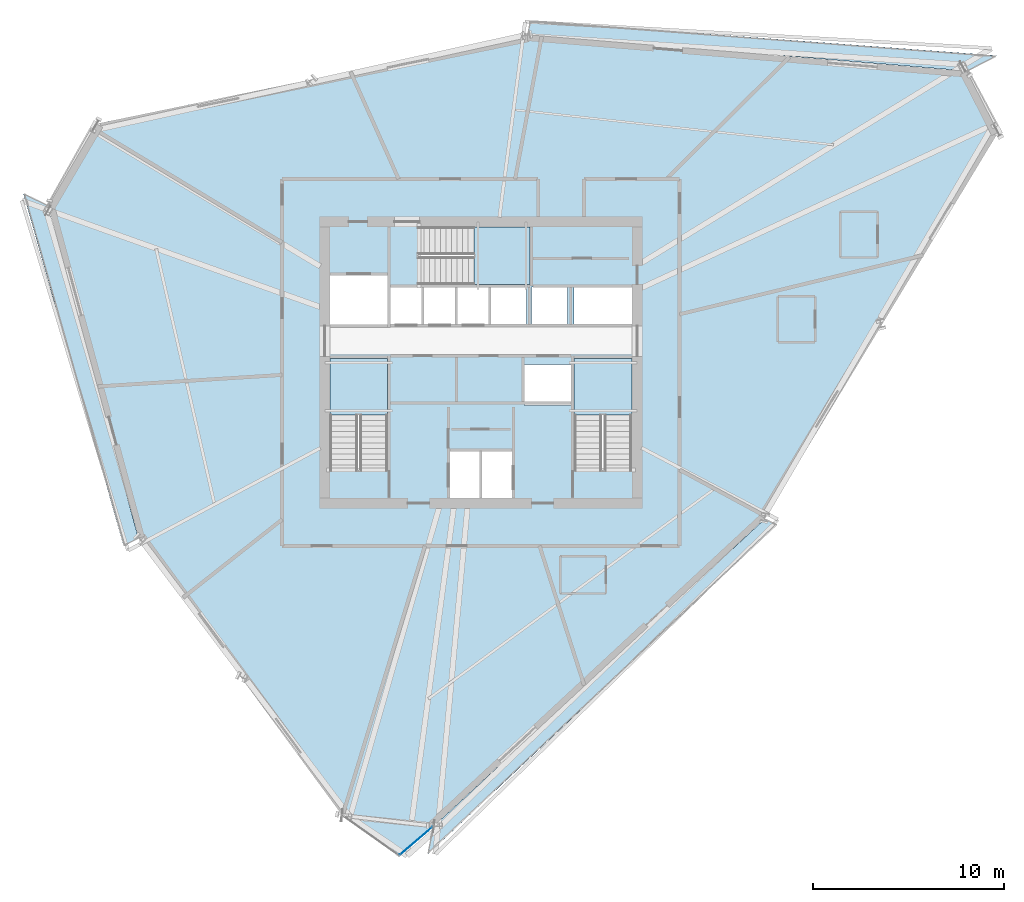
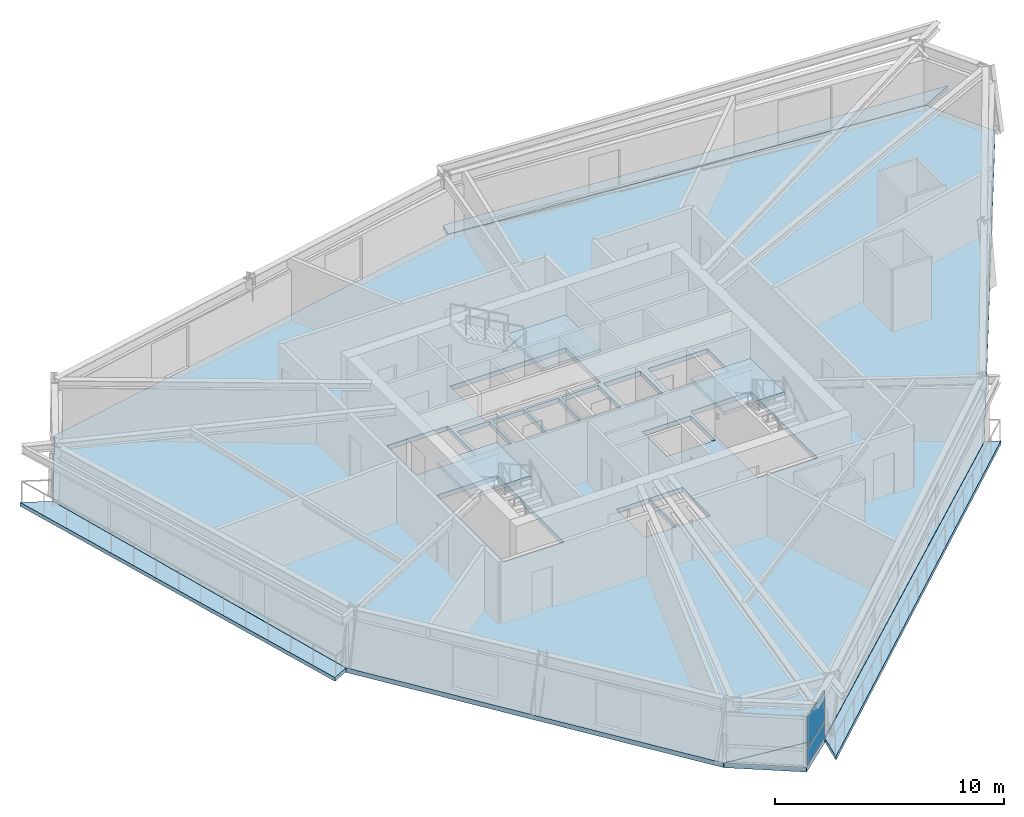
# One storey, part 6 of 15: 8 slabs, 2 plates, 4 elements without a shape of their own.
"""IFC4 building model written with IfcOpenShell, lengths in metres."""

from ifc_helpers import new_model, si_unit, direction, frame, origin, origin_2d, place, context, subcontext, project, spatial, polyline, rectangle, outline, extrude, source, transform, mapped, material, layer, layer_set, type_object, element, aggregate, save


model = new_model("IFC4")

# Units and contexts
model_context = context("Model", 3, precision=1e-05, world=origin(), true_north=direction((0.0, 1.0)))
body_context = subcontext(model_context, "Body", "Model", "MODEL_VIEW")
ifc_project = project(units=[si_unit("LENGTHUNIT", "METRE"), si_unit("AREAUNIT", "SQUARE_METRE"), si_unit("VOLUMEUNIT", "CUBIC_METRE"), si_unit("PLANEANGLEUNIT", "RADIAN"), si_unit("MASSUNIT", "GRAM", prefix="KILO")], contexts=[model_context])

# Site, building, storey
site_placement = place(None, origin())
site = spatial("IfcSite", under=ifc_project, at=site_placement, CompositionType="ELEMENT")
building_placement = place(site_placement, origin())
building = spatial("IfcBuilding", under=site, at=building_placement, Name="Olszyna Solenne Hotel", CompositionType="ELEMENT")
storey_placement = place(building_placement, frame((0.0, 0.0, 146.60009765625)))
storey = spatial("IfcBuildingStorey", under=building, at=storey_placement, Name="L38", CompositionType="ELEMENT", Elevation=146.60009765625)

# Stair, slab
ifc_material_1 = material(Name="Concrete C40/50", Category="concrete")
stair_type = type_object("IfcStairType", Name="STR-C1", PredefinedType="TWO_QUARTER_WINDING_STAIR", material=ifc_material_1)
stair_1_placement = place(storey_placement, origin())
stair_1 = element("IfcStair", 1, at=stair_1_placement, inside=storey, type_object=stair_type, Name="L38 ST1", PredefinedType="TWO_QUARTER_WINDING_STAIR")
ifc_layer_1 = layer(ifc_material_1, 0.18994140625, Name="Concrete C40/50")
ifc_layer_set_1 = layer_set([ifc_layer_1], Name="Concrete C40/50")
slab_type_1 = type_object("IfcSlabType", Name="SL-LN190", PredefinedType="LANDING", material=ifc_layer_set_1)
slab_1_placement = place(storey_placement, frame((0.0, 0.0, 1.574951171875)))
slab_1 = element("IfcSlab", 2, at=slab_1_placement, type_object=slab_type_1, Name="ST1 landing 1", PredefinedType="LANDING", context=body_context, shape_type="SweptSolid", body=[
    extrude(outline(polyline([(33.1201171875, 23.85009765625), (33.1201171875, 26.800048828125), (30.10009765625, 26.800048828125), (30.10009765625, 23.85009765625), (33.1201171875, 23.85009765625)])), origin(), (0.0, 0.0, 1.0), 0.199951171875),
])
aggregate(stair_1, [slab_1])

stair_2_placement = place(storey_placement, origin())
stair_2 = element("IfcStair", 3, at=stair_2_placement, inside=storey, type_object=stair_type, Name="L38 ST2", PredefinedType="TWO_QUARTER_WINDING_STAIR")
slab_2_placement = place(storey_placement, frame((0.0, 0.0, 1.574951171875)))
slab_2 = element("IfcSlab", 4, at=slab_2_placement, type_object=slab_type_1, Name="ST2 landing 1", PredefinedType="LANDING", context=body_context, shape_type="SweptSolid", body=[
    extrude(outline(polyline([(45.89990234375, 23.85009765625), (45.89990234375, 26.800048828125), (42.8798828125, 26.800048828125), (42.8798828125, 23.85009765625), (45.89990234375, 23.85009765625)])), origin(), (0.0, 0.0, 1.0), 0.199951171875),
])
aggregate(stair_2, [slab_2])

stair_3_placement = place(storey_placement, origin())
stair_3 = element("IfcStair", 5, at=stair_3_placement, inside=storey, type_object=stair_type, Name="L38 ST3", PredefinedType="TWO_QUARTER_WINDING_STAIR")
slab_3_placement = place(storey_placement, frame((0.0, 0.0, 1.574951171875)))
slab_3 = element("IfcSlab", 6, at=slab_3_placement, type_object=slab_type_1, Name="ST3 landing 1", PredefinedType="LANDING", context=body_context, shape_type="SweptSolid", body=[
    extrude(outline(polyline([(37.6298828125, 30.679931640625), (40.580078125, 30.679931640625), (40.580078125, 33.699951171875), (37.6298828125, 33.699951171875), (37.6298828125, 30.679931640625)])), origin(), (0.0, 0.0, 1.0), 0.199951171875),
])
aggregate(stair_3, [slab_3])

# Slabs
ifc_material_2 = material(Name="Precast concrete C45/55", Category="concrete")
ifc_layer_2 = layer(ifc_material_2, 0.199951171875, Name="Precast concrete C45/55")
ifc_layer_set_2 = layer_set([ifc_layer_2], Name="Precast concrete C45/55")
slab_type_2 = type_object("IfcSlabType", Name="SL-LOG200", PredefinedType="FLOOR", material=ifc_layer_set_2)
slab_4_placement = place(storey_placement, frame((0.0, 0.0, -0.2001953125)))
element("IfcSlab", 7, at=slab_4_placement, inside=storey, type_object=slab_type_2, Name="Exterior loggia balcony slab SL-L38-LG1", PredefinedType="FLOOR", context=body_context, shape_type="SweptSolid", body=[
    extrude(outline(polyline([(40.459716796875, 43.75927734375), (63.423095703125, 41.852294921875), (63.424560546875, 41.852294921875), (63.426025390625, 41.851806640625), (63.427490234375, 41.851318359375), (63.428955078125, 41.8505859375), (63.43017578125, 41.85009765625), (63.431396484375, 41.84912109375), (63.4326171875, 41.847900390625), (63.43359375, 41.846923828125), (63.4345703125, 41.845703125), (63.435302734375, 41.844482421875), (65.002685546875, 42.65771484375), (40.597412109375, 44.477783203125), (40.459716796875, 43.75927734375)])), origin(), (0.0, 0.0, 1.0), 0.2001953125),
])
slab_5_placement = place(storey_placement, frame((0.0, 0.0, -0.2001953125)))
element("IfcSlab", 8, at=slab_5_placement, inside=storey, type_object=slab_type_2, Name="Exterior loggia balcony slab SL-L38-LG2", PredefinedType="FLOOR", context=body_context, shape_type="SweptSolid", body=[
    extrude(outline(polyline([(20.081787109375, 17.41162109375), (20.08154296875, 17.411865234375), (20.080810546875, 17.4130859375), (20.08056640625, 17.41455078125), (15.3505859375, 34.785400390625), (15.350341796875, 34.786865234375), (15.35009765625, 34.788330078125), (15.35009765625, 34.789794921875), (15.350341796875, 34.791259765625), (15.3505859375, 34.792724609375), (15.35107421875, 34.794189453125), (15.3515625, 34.795654296875), (15.351806640625, 34.7958984375), (14.065185546875, 35.435546875), (19.3046875, 17.00830078125), (20.081787109375, 17.41162109375)])), origin(), (0.0, 0.0, 1.0), 0.2001953125),
])
slab_6_placement = place(storey_placement, frame((0.0, 0.0, -0.2001953125)))
element("IfcSlab", 9, at=slab_6_placement, inside=storey, type_object=slab_type_2, Name="Exterior loggia balcony slab SL-L38-LG3", PredefinedType="FLOOR", context=body_context, shape_type="SweptSolid", body=[
    extrude(outline(polyline([(52.85205078125, 18.407958984375), (52.851318359375, 18.406982421875), (52.8505859375, 18.40576171875), (52.849853515625, 18.40478515625), (52.848876953125, 18.40380859375), (35.52587890625, 2.33251953125), (35.525390625, 2.33203125), (35.510986328125, 2.31982421875), (35.23486328125, 0.876953125), (53.488525390625, 18.091552734375), (52.85205078125, 18.407958984375)])), origin(), (0.0, 0.0, 1.0), 0.2001953125),
])
ifc_material_3 = material(Name="Concrete C50/60", Category="concrete")
ifc_layer_3 = layer(ifc_material_3, 0.25, Name="Concrete C50/60")
ifc_layer_set_3 = layer_set([ifc_layer_3], Name="Concrete C50/60")
slab_type_3 = type_object("IfcSlabType", Name="SL-TW250", PredefinedType="FLOOR", material=ifc_layer_set_3)
slab_7_placement = place(storey_placement, frame((0.0, 0.0, -0.25)))
element("IfcSlab", 10, at=slab_7_placement, inside=storey, type_object=slab_type_3, Name="Floor slab SL-TW250 SL-L38-01", PredefinedType="FLOOR", context=body_context, shape_type="SweptSolid", body=[
    extrude(outline(polyline([(65.0634765625, 38.63671875), (63.421875, 41.83740234375), (40.456787109375, 43.744384765625), (17.887939453125, 39.089599609375), (15.365234375, 34.789306640625), (20.094970703125, 17.41845703125), (30.74609375, 2.90380859375), (35.515625, 2.343505859375), (52.838623046875, 18.414794921875), (65.0634765625, 38.63671875)]), holes=[polyline([(30.10009765625, 20.949951171875), (33.1201171875, 20.949951171875), (33.1201171875, 26.800048828125), (30.10009765625, 26.800048828125), (30.10009765625, 20.949951171875)]), polyline([(42.8798828125, 20.949951171875), (45.89990234375, 20.949951171875), (45.89990234375, 26.800048828125), (42.8798828125, 26.800048828125), (42.8798828125, 20.949951171875)]), polyline([(34.72998046875, 30.679931640625), (40.580078125, 30.679931640625), (40.580078125, 33.699951171875), (34.72998046875, 33.699951171875), (34.72998046875, 30.679931640625)]), polyline([(36.340087890625, 19.5), (37.9599609375, 19.5), (37.9599609375, 21.9599609375), (36.340087890625, 21.9599609375), (36.340087890625, 19.5)]), polyline([(38.0400390625, 19.5), (39.659912109375, 19.5), (39.659912109375, 21.9599609375), (38.0400390625, 21.9599609375), (38.0400390625, 19.5)]), polyline([(30.10009765625, 28.60009765625), (33.1201171875, 28.60009765625), (33.1201171875, 31.159912109375), (30.10009765625, 31.159912109375), (30.10009765625, 28.60009765625)]), polyline([(40.280029296875, 24.360107421875), (42.719970703125, 24.360107421875), (42.719970703125, 26.5), (40.280029296875, 26.5), (40.280029296875, 24.360107421875)]), polyline([(33.280029296875, 28.60009765625), (34.89990234375, 28.60009765625), (34.89990234375, 30.550048828125), (33.280029296875, 30.550048828125), (33.280029296875, 28.60009765625)]), polyline([(35.030029296875, 28.60009765625), (36.64990234375, 28.60009765625), (36.64990234375, 30.550048828125), (35.030029296875, 30.550048828125), (35.030029296875, 28.60009765625)]), polyline([(36.780029296875, 28.60009765625), (38.39990234375, 28.60009765625), (38.39990234375, 30.550048828125), (36.780029296875, 30.550048828125), (36.780029296875, 28.60009765625)]), polyline([(38.530029296875, 28.60009765625), (40.389892578125, 28.60009765625), (40.389892578125, 30.550048828125), (38.530029296875, 30.550048828125), (38.530029296875, 28.60009765625)]), polyline([(40.659912109375, 28.60009765625), (42.52001953125, 28.60009765625), (42.52001953125, 30.550048828125), (40.659912109375, 30.550048828125), (40.659912109375, 28.60009765625)]), polyline([(42.8798828125, 28.60009765625), (45.89990234375, 28.60009765625), (45.89990234375, 30.550048828125), (42.8798828125, 30.550048828125), (42.8798828125, 28.60009765625)])]), origin(), (0.0, 0.0, 1.0), 0.25),
])
slab_8_placement = place(storey_placement, frame((0.0, 0.0, -0.25)))
element("IfcSlab", 11, at=slab_8_placement, inside=storey, type_object=slab_type_3, Name="Faceted glass-prism floor slab SL-L38-PR", PredefinedType="FLOOR", context=body_context, shape_type="SweptSolid", body=[
    extrude(outline(polyline([(35.50537109375, 2.33447265625), (30.762939453125, 2.8916015625), (33.716796875, 0.800048828125), (35.50537109375, 2.33447265625)])), origin(), (0.0, 0.0, 1.0), 0.25),
])

# Curtain wall, plates
ifc_material_4 = material(Name="Anodised bronze aluminium", Category="aluminium")
curtain_wall_type = type_object("IfcCurtainWallType", Name="CW-SYS-5", PredefinedType="NOTDEFINED", material=ifc_material_4)
curtain_wall_placement = place(storey_placement, origin())
curtain_wall = element("IfcCurtainWall", 12, at=curtain_wall_placement, inside=storey, type_object=curtain_wall_type, Name="Unitised curtain wall CW-SYS-5 CW-L38-01", PredefinedType="NOTDEFINED")
ifc_material_5 = material(Name="Low-E triple glazing", Category="glass")
plate_type = type_object("IfcPlateType", Name="PN-PR1", PredefinedType="CURTAIN_PANEL", material=ifc_material_5)
shared_shape_1 = source(origin(), body_context, "Body", "SweptSolid", [
    extrude(rectangle(XDim=2.22021484375, YDim=0.028076171875, at=origin_2d()), origin(), (0.0, 0.0, 1.0), 0.83740234375),
])
plate_1_placement = place(storey_placement, frame((34.6162109375, 1.57177734375, 0.074951171875), z_axis=(0.0, 0.0, 1.0), x_axis=(0.758946795868, 0.651152640355, 0.0)))
plate_1 = element("IfcPlate", 13, at=plate_1_placement, type_object=plate_type, Name="Curtain-wall panel PN-PR1 CP-L38-01-01", PredefinedType="CURTAIN_PANEL", context=body_context, shape_type="MappedRepresentation", body=[
    mapped(shared_shape_1, transform((0.0, 0.0, 0.0), x_axis=(1.0, 0.0, 0.0), y_axis=(0.0, 1.0, 0.0), z_axis=(0.0, 0.0, 1.0), scale=1.0)),
])
shared_shape_2 = source(origin(), body_context, "Body", "SweptSolid", [
    extrude(rectangle(XDim=2.22021484375, YDim=0.028076171875, at=origin_2d()), origin(), (0.0, 0.0, 1.0), 1.62939453125),
])
plate_2_placement = place(storey_placement, frame((34.6162109375, 1.57177734375, 0.987548828125), z_axis=(0.0, 0.0, 1.0), x_axis=(0.758946795868, 0.651152640355, 0.0)))
plate_2 = element("IfcPlate", 14, at=plate_2_placement, type_object=plate_type, Name="Curtain-wall panel PN-PR1 CP-L38-01-02", PredefinedType="CURTAIN_PANEL", context=body_context, shape_type="MappedRepresentation", body=[
    mapped(shared_shape_2, transform((0.0, 0.0, 0.0), x_axis=(1.0, 0.0, 0.0), y_axis=(0.0, 1.0, 0.0), z_axis=(0.0, 0.0, 1.0), scale=1.0)),
])
aggregate(curtain_wall, [plate_1, plate_2])

save(model, "model.ifc")
